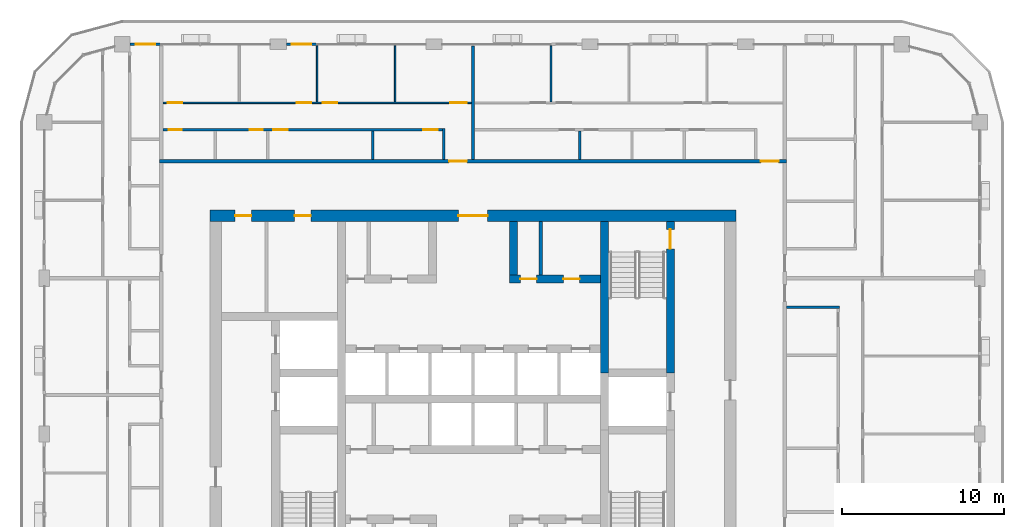
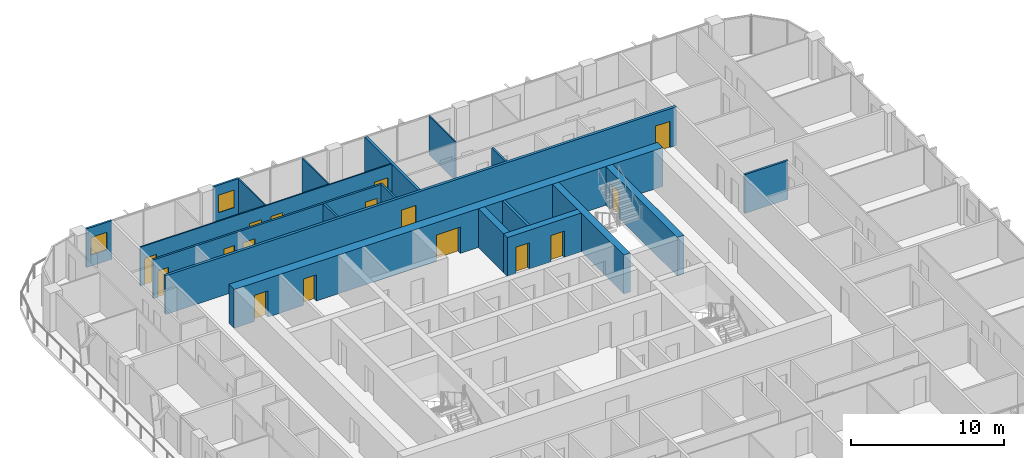
# One storey, part 14 of 22: 19 walls, 16 doors, 2 windows, 18 openings.
"""IFC4 building model written with IfcOpenShell, lengths in metres."""

from ifc_helpers import new_model, si_unit, direction, frame, frame_2d, origin, place, context, subcontext, project, spatial, rectangle, extrude, material, layer, layer_set, type_object, element, fill, save


model = new_model("IFC4")

# Units and contexts
model_context = context("Model", 3, precision=1e-05, world=origin(), true_north=direction((0.0, 1.0)))
body_context = subcontext(model_context, "Body", "Model", "MODEL_VIEW")
ifc_project = project(units=[si_unit("LENGTHUNIT", "METRE"), si_unit("AREAUNIT", "SQUARE_METRE"), si_unit("VOLUMEUNIT", "CUBIC_METRE"), si_unit("PLANEANGLEUNIT", "RADIAN"), si_unit("MASSUNIT", "GRAM", prefix="KILO")], contexts=[model_context])

# Site, building, storey
site_placement = place(None, origin())
site = spatial("IfcSite", under=ifc_project, at=site_placement, CompositionType="ELEMENT")
building_placement = place(site_placement, origin())
building = spatial("IfcBuilding", under=site, at=building_placement, Name="Madar Terraces", CompositionType="ELEMENT")
storey_placement = place(building_placement, frame((0.0, 0.0, 199.89990234375)))
storey = spatial("IfcBuildingStorey", under=building, at=storey_placement, Name="L52", CompositionType="ELEMENT", Elevation=199.89990234375)

# Wall
ifc_material_1 = material(Name="Concrete C60/75", Category="concrete")
ifc_layer_1 = layer(ifc_material_1, 0.5)
ifc_layer_set_1 = layer_set([ifc_layer_1], Name="Concrete C60/75 (CIW4 RC wall 500)")
wall_type_1 = type_object("IfcWallType", Name="CIW4 RC wall 500", PredefinedType="SHEAR", material=ifc_layer_set_1)
wall_1_placement = place(storey_placement, frame((39.300048828125, 27.75, 0.0), z_axis=(0.0, 0.0, 1.0), x_axis=(0.0, 1.0, 0.0)))
element("IfcWall", 1, at=wall_1_placement, inside=storey, type_object=wall_type_1, Name="CORE SHAFT WALL", PredefinedType="SHEAR", context=body_context, shape_type="SweptSolid", body=[
    extrude(rectangle(XDim=9.35009765625, YDim=0.5, at=frame_2d((4.675048828125, 0.0))), origin(), (0.0, 0.0, 1.0), 3.10009765625),
])

# Wall, opening, door
wall_2_placement = place(storey_placement, frame((43.35009765625, 27.75, 0.0), z_axis=(0.0, 0.0, 1.0), x_axis=(0.0, 1.0, 0.0)))
wall_2 = element("IfcWall", 2, at=wall_2_placement, inside=storey, type_object=wall_type_1, Name="CORE SHAFT WALL", PredefinedType="SHEAR", context=body_context, shape_type="SweptSolid", body=[
    extrude(rectangle(XDim=9.35009765625, YDim=0.5, at=frame_2d((4.675048828125, 0.0))), origin(), (0.0, 0.0, 1.0), 3.10009765625),
])
opening_1_placement = place(wall_2_placement, frame((7.64990234375, 0.0, 0.0)))
opening_1 = element("IfcOpeningElement", 3, at=opening_1_placement, cuts=wall_2, Name="Opening SD1", PredefinedType="OPENING", context=body_context, shape_type="SweptSolid", body=[
    extrude(rectangle(XDim=1.199951171875, YDim=2.10009765625, at=frame_2d((0.60009765625, 1.050048828125))), frame((0.0, 0.260009765625, 0.0), z_axis=(0.0, -1.0, 0.0), x_axis=(1.0, 0.0, 0.0)), (0.0, 0.0, 1.0), 0.52001953125),
])
ifc_material_2 = material(Name="Steel door leaf", Category="steel")
door_type_1 = type_object("IfcDoorType", Name="Stair door 1200 x 2100", OperationType="NOTDEFINED", PredefinedType="DOOR", material=ifc_material_2)
door_1_placement = place(opening_1_placement, origin())
door_1 = element("IfcDoor", 4, at=door_1_placement, inside=storey, type_object=door_type_1, Name="STAIR DOOR", OperationType="SINGLE_SWING_RIGHT", OverallHeight=2.10009765625, OverallWidth=1.199951171875, PredefinedType="DOOR", context=body_context, shape_type="SweptSolid", body=[
    extrude(rectangle(XDim=1.199951171875, YDim=2.10009765625, at=frame_2d((0.60009765625, 1.050048828125))), frame((0.0, 0.02490234375, 0.0), z_axis=(0.0, -1.0, 0.0), x_axis=(1.0, 0.0, 0.0)), (0.0, 0.0, 1.0), 0.050048828125),
])
fill(opening_1, door_1)

# Wall, openings, doors
wall_3_placement = place(storey_placement, frame((33.449951171875, 33.550048828125, 0.0), z_axis=(0.0, 0.0, 1.0), x_axis=(1.0, 0.0, 0.0)))
wall_3 = element("IfcWall", 5, at=wall_3_placement, inside=storey, type_object=wall_type_1, Name="CORE SHAFT WALL", PredefinedType="SHEAR", context=body_context, shape_type="SweptSolid", body=[
    extrude(rectangle(XDim=5.60009765625, YDim=0.5, at=frame_2d((2.800048828125, 0.0))), origin(), (0.0, 0.0, 1.0), 3.10009765625),
])
opening_2_placement = place(wall_3_placement, frame((0.6640625, 0.0, 0.0)))
opening_2 = element("IfcOpeningElement", 6, at=opening_2_placement, cuts=wall_3, Name="Opening KD2", PredefinedType="OPENING", context=body_context, shape_type="SweptSolid", body=[
    extrude(rectangle(XDim=1.0, YDim=2.10009765625, at=frame_2d((0.5, 1.050048828125))), frame((0.0, 0.260009765625, 0.0), z_axis=(0.0, -1.0, 0.0), x_axis=(1.0, 0.0, 0.0)), (0.0, 0.0, 1.0), 0.52001953125),
])
opening_3_placement = place(wall_3_placement, frame((3.31396484375, 0.0, 0.0)))
opening_3 = element("IfcOpeningElement", 7, at=opening_3_placement, cuts=wall_3, Name="Opening KD2", PredefinedType="OPENING", context=body_context, shape_type="SweptSolid", body=[
    extrude(rectangle(XDim=1.0, YDim=2.10009765625, at=frame_2d((0.5, 1.050048828125))), frame((0.0, 0.260009765625, 0.0), z_axis=(0.0, -1.0, 0.0), x_axis=(1.0, 0.0, 0.0)), (0.0, 0.0, 1.0), 0.52001953125),
])
ifc_material_3 = material(Name="Steel door leaf", Category="steel")
door_type_2 = type_object("IfcDoorType", Name="Service room door 1000 x 2100", OperationType="NOTDEFINED", PredefinedType="DOOR", material=ifc_material_3)
door_2_placement = place(opening_2_placement, frame((1.0, 0.0, 0.0), z_axis=(0.0, 0.0, 1.0), x_axis=(-1.0, 0.0, 0.0)))
door_2 = element("IfcDoor", 8, at=door_2_placement, inside=storey, type_object=door_type_2, Name="SERVICE ROOM DOOR", OperationType="SINGLE_SWING_LEFT", OverallHeight=2.10009765625, OverallWidth=1.0, PredefinedType="DOOR", context=body_context, shape_type="SweptSolid", body=[
    extrude(rectangle(XDim=1.0, YDim=2.10009765625, at=frame_2d((0.5, 1.050048828125))), frame((0.0, 0.02490234375, 0.0), z_axis=(0.0, -1.0, 0.0), x_axis=(1.0, 0.0, 0.0)), (0.0, 0.0, 1.0), 0.050048828125),
])
fill(opening_2, door_2)
door_3_placement = place(opening_3_placement, frame((1.0, 0.0, 0.0), z_axis=(0.0, 0.0, 1.0), x_axis=(-1.0, 0.0, 0.0)))
door_3 = element("IfcDoor", 9, at=door_3_placement, inside=storey, type_object=door_type_2, Name="SERVICE ROOM DOOR", OperationType="SINGLE_SWING_RIGHT", OverallHeight=2.10009765625, OverallWidth=1.0, PredefinedType="DOOR", context=body_context, shape_type="SweptSolid", body=[
    extrude(rectangle(XDim=1.0, YDim=2.10009765625, at=frame_2d((0.5, 1.050048828125))), frame((0.0, 0.02490234375, 0.0), z_axis=(0.0, -1.0, 0.0), x_axis=(1.0, 0.0, 0.0)), (0.0, 0.0, 1.0), 0.050048828125),
])
fill(opening_3, door_3)

# Wall
wall_4_placement = place(storey_placement, frame((33.699951171875, 33.800048828125, 0.0), z_axis=(0.0, 0.0, 1.0), x_axis=(0.0, 1.0, 0.0)))
element("IfcWall", 10, at=wall_4_placement, inside=storey, type_object=wall_type_1, Name="CORE SHAFT WALL", PredefinedType="SHEAR", context=body_context, shape_type="SweptSolid", body=[
    extrude(rectangle(XDim=3.300048828125, YDim=0.5, at=frame_2d((1.64990234375, 0.0))), origin(), (0.0, 0.0, 1.0), 3.10009765625),
])

# Wall, openings, doors
ifc_material_4 = material(Name="Concrete C60/75", Category="concrete")
ifc_layer_2 = layer(ifc_material_4, 0.699951171875)
ifc_layer_set_2 = layer_set([ifc_layer_2], Name="Concrete C60/75 (CRW4 RC wall 700)")
wall_type_2 = type_object("IfcWallType", Name="CRW4 RC wall 700", PredefinedType="SHEAR", material=ifc_layer_set_2)
wall_5_placement = place(storey_placement, frame((15.0, 37.449951171875, 0.0), z_axis=(0.0, 0.0, 1.0), x_axis=(1.0, 0.0, 0.0)))
wall_5 = element("IfcWall", 11, at=wall_5_placement, inside=storey, type_object=wall_type_2, Name="CORE OUTER WALL", PredefinedType="SHEAR", context=body_context, shape_type="SweptSolid", body=[
    extrude(rectangle(XDim=32.39990234375, YDim=0.699951171875, at=frame_2d((16.199951171875, 0.0))), origin(), (0.0, 0.0, 1.0), 3.10009765625),
])
opening_4_placement = place(wall_5_placement, frame((15.300048828125, 0.0, 0.0)))
opening_4 = element("IfcOpeningElement", 12, at=opening_4_placement, cuts=wall_5, Name="Opening KD1", PredefinedType="OPENING", context=body_context, shape_type="SweptSolid", body=[
    extrude(rectangle(XDim=1.800048828125, YDim=2.10009765625, at=frame_2d((0.89990234375, 1.050048828125))), frame((0.0, 0.35986328125, 0.0), z_axis=(0.0, -1.0, 0.0), x_axis=(1.0, 0.0, 0.0)), (0.0, 0.0, 1.0), 0.719970703125),
])
opening_5_placement = place(wall_5_placement, frame((1.544189453125, 0.0, 0.0)))
opening_5 = element("IfcOpeningElement", 13, at=opening_5_placement, cuts=wall_5, Name="Opening KD2", PredefinedType="OPENING", context=body_context, shape_type="SweptSolid", body=[
    extrude(rectangle(XDim=1.0, YDim=2.10009765625, at=frame_2d((0.5, 1.050048828125))), frame((0.0, 0.35986328125, 0.0), z_axis=(0.0, -1.0, 0.0), x_axis=(1.0, 0.0, 0.0)), (0.0, 0.0, 1.0), 0.719970703125),
])
opening_6_placement = place(wall_5_placement, frame((5.21923828125, 0.0, 0.0)))
opening_6 = element("IfcOpeningElement", 14, at=opening_6_placement, cuts=wall_5, Name="Opening KD2", PredefinedType="OPENING", context=body_context, shape_type="SweptSolid", body=[
    extrude(rectangle(XDim=1.0, YDim=2.10009765625, at=frame_2d((0.5, 1.050048828125))), frame((0.0, 0.35986328125, 0.0), z_axis=(0.0, -1.0, 0.0), x_axis=(1.0, 0.0, 0.0)), (0.0, 0.0, 1.0), 0.719970703125),
])
ifc_material_5 = material(Name="Steel door leaf", Category="steel")
door_type_3 = type_object("IfcDoorType", Name="Lobby door pair 1800 x 2100", OperationType="DOUBLE_DOOR_SINGLE_SWING", PredefinedType="DOOR", material=ifc_material_5)
door_4_placement = place(opening_4_placement, origin())
door_4 = element("IfcDoor", 15, at=door_4_placement, inside=storey, type_object=door_type_3, Name="LIFT LOBBY DOOR", OperationType="DOUBLE_DOOR_SINGLE_SWING", OverallHeight=2.10009765625, OverallWidth=1.800048828125, PredefinedType="DOOR", context=body_context, shape_type="SweptSolid", body=[
    extrude(rectangle(XDim=1.800048828125, YDim=2.10009765625, at=frame_2d((0.89990234375, 1.050048828125))), frame((0.0, 0.02490234375, 0.0), z_axis=(0.0, -1.0, 0.0), x_axis=(1.0, 0.0, 0.0)), (0.0, 0.0, 1.0), 0.050048828125),
])
fill(opening_4, door_4)
door_5_placement = place(opening_5_placement, origin())
door_5 = element("IfcDoor", 16, at=door_5_placement, inside=storey, type_object=door_type_2, Name="SERVICE ROOM DOOR", OperationType="SINGLE_SWING_LEFT", OverallHeight=2.10009765625, OverallWidth=1.0, PredefinedType="DOOR", context=body_context, shape_type="SweptSolid", body=[
    extrude(rectangle(XDim=1.0, YDim=2.10009765625, at=frame_2d((0.5, 1.050048828125))), frame((0.0, 0.02490234375, 0.0), z_axis=(0.0, -1.0, 0.0), x_axis=(1.0, 0.0, 0.0)), (0.0, 0.0, 1.0), 0.050048828125),
])
fill(opening_5, door_5)
door_6_placement = place(opening_6_placement, origin())
door_6 = element("IfcDoor", 17, at=door_6_placement, inside=storey, type_object=door_type_2, Name="SERVICE ROOM DOOR", OperationType="SINGLE_SWING_RIGHT", OverallHeight=2.10009765625, OverallWidth=1.0, PredefinedType="DOOR", context=body_context, shape_type="SweptSolid", body=[
    extrude(rectangle(XDim=1.0, YDim=2.10009765625, at=frame_2d((0.5, 1.050048828125))), frame((0.0, 0.02490234375, 0.0), z_axis=(0.0, -1.0, 0.0), x_axis=(1.0, 0.0, 0.0)), (0.0, 0.0, 1.0), 0.050048828125),
])
fill(opening_6, door_6)

# Wall
ifc_material_6 = material(Name="Masonry blockwork", Category="masonry")
ifc_layer_3 = layer(ifc_material_6, 0.199951171875)
ifc_layer_set_3 = layer_set([ifc_layer_3], Name="Core partition 200 blockwork")
wall_type_3 = type_object("IfcWallType", Name="Core partition 200 blockwork", PredefinedType="PARTITIONING", material=ifc_layer_set_3)
wall_6_placement = place(storey_placement, frame((35.3779296875, 33.800048828125, 0.0), z_axis=(0.0, 0.0, 1.0), x_axis=(0.0, 1.0, 0.0)))
element("IfcWall", 18, at=wall_6_placement, inside=storey, type_object=wall_type_3, Name="SERVICE ROOM PARTITION", PredefinedType="PARTITIONING", context=body_context, shape_type="SweptSolid", body=[
    extrude(rectangle(XDim=3.300048828125, YDim=0.199951171875, at=frame_2d((1.64990234375, 0.0))), origin(), (0.0, 0.0, 1.0), 3.10009765625),
])

# Wall, opening, window
ifc_material_7 = material(Name="Aluminium composite panel, black, over insulated backing", Category="aluminium")
ifc_layer_4 = layer(ifc_material_7, 0.14990234375)
ifc_layer_set_4 = layer_set([ifc_layer_4], Name="Facade bay panel 150")
wall_type_4 = type_object("IfcWallType", Name="Facade bay panel 150", PredefinedType="SOLIDWALL", material=ifc_layer_set_4)
wall_7_placement = place(storey_placement, frame((21.60009765625, 48.0, 0.0), z_axis=(0.0, 0.0, 1.0), x_axis=(-1.0, 0.0, 0.0)))
wall_7 = element("IfcWall", 19, at=wall_7_placement, inside=storey, type_object=wall_type_4, Name="Facade bay panel", PredefinedType="SOLIDWALL", context=body_context, shape_type="SweptSolid", body=[
    extrude(rectangle(XDim=1.900146484375, YDim=0.14990234375, at=frame_2d((0.9501953125, 0.0))), origin(), (0.0, 0.0, 1.0), 3.10009765625),
])
opening_7_placement = place(wall_7_placement, frame((0.35009765625, 0.0, 0.89990234375)))
opening_7 = element("IfcOpeningElement", 20, at=opening_7_placement, cuts=wall_7, Name="Opening W1", PredefinedType="OPENING", context=body_context, shape_type="SweptSolid", body=[
    extrude(rectangle(XDim=1.199951171875, YDim=1.39990234375, at=frame_2d((0.60009765625, 0.699951171875))), frame((0.0, 0.0849609375, 0.0), z_axis=(0.0, -1.0, 0.0), x_axis=(1.0, 0.0, 0.0)), (0.0, 0.0, 1.0), 0.169921875),
])
ifc_material_8 = material(Name="Glass, clear, with black aluminium frame", Category="aluminium")
window_type = type_object("IfcWindowType", Name="Vent window 1200 x 1400", PartitioningType="SINGLE_PANEL", PredefinedType="WINDOW", material=ifc_material_8)
window_1_placement = place(opening_7_placement, origin())
window_1 = element("IfcWindow", 21, at=window_1_placement, inside=storey, type_object=window_type, Name="Operable vent window", OverallHeight=1.39990234375, OverallWidth=1.199951171875, PartitioningType="SINGLE_PANEL", PredefinedType="WINDOW", context=body_context, shape_type="SweptSolid", body=[
    extrude(rectangle(XDim=1.199951171875, YDim=1.39990234375, at=frame_2d((0.60009765625, 0.699951171875))), frame((0.0, 0.030029296875, 0.0), z_axis=(0.0, -1.0, 0.0), x_axis=(1.0, 0.0, 0.0)), (0.0, 0.0, 1.0), 0.06005859375),
])
fill(opening_7, window_1)

wall_8_placement = place(storey_placement, frame((12.0, 48.0, 0.0), z_axis=(0.0, 0.0, 1.0), x_axis=(-1.0, 0.0, 0.0)))
wall_8 = element("IfcWall", 22, at=wall_8_placement, inside=storey, type_object=wall_type_4, Name="Facade bay panel", PredefinedType="SOLIDWALL", context=body_context, shape_type="SweptSolid", body=[
    extrude(rectangle(XDim=1.925048828125, YDim=0.14990234375, at=frame_2d((0.96240234375, 0.0))), origin(), (0.0, 0.0, 1.0), 3.10009765625),
])
opening_8_placement = place(wall_8_placement, frame((0.362548828125, 0.0, 0.89990234375)))
opening_8 = element("IfcOpeningElement", 23, at=opening_8_placement, cuts=wall_8, Name="Opening W1", PredefinedType="OPENING", context=body_context, shape_type="SweptSolid", body=[
    extrude(rectangle(XDim=1.199951171875, YDim=1.39990234375, at=frame_2d((0.60009765625, 0.699951171875))), frame((0.0, 0.0849609375, 0.0), z_axis=(0.0, -1.0, 0.0), x_axis=(1.0, 0.0, 0.0)), (0.0, 0.0, 1.0), 0.169921875),
])
window_2_placement = place(opening_8_placement, origin())
window_2 = element("IfcWindow", 24, at=window_2_placement, inside=storey, type_object=window_type, Name="Operable vent window", OverallHeight=1.39990234375, OverallWidth=1.199951171875, PartitioningType="SINGLE_PANEL", PredefinedType="WINDOW", context=body_context, shape_type="SweptSolid", body=[
    extrude(rectangle(XDim=1.199951171875, YDim=1.39990234375, at=frame_2d((0.60009765625, 0.699951171875))), frame((0.0, 0.030029296875, 0.0), z_axis=(0.0, -1.0, 0.0), x_axis=(1.0, 0.0, 0.0)), (0.0, 0.0, 1.0), 0.06005859375),
])
fill(opening_8, window_2)

# Walls
ifc_material_9 = material(Name="Gypsum board on steel studs", Category="steel")
ifc_layer_5 = layer(ifc_material_9, 0.10009765625)
ifc_layer_set_5 = layer_set([ifc_layer_5], Name="Flat partition 100")
wall_type_5 = type_object("IfcWallType", Name="Flat partition 100", PredefinedType="PARTITIONING", material=ifc_layer_set_5)
for number, where, z_axis, x_axis, name in (
    (25, (36.0, 44.449951171875, 0.0), (0.0, 0.0, 1.0), (0.0, 1.0, 0.0), "Flat partition 100"),
    (26, (26.39990234375, 44.449951171875, 0.0), (0.0, 0.0, 1.0), (0.0, 1.0, 0.0), "Flat partition 100"),
    (27, (21.60009765625, 44.449951171875, 0.0), (0.0, 0.0, 1.0), (0.0, 1.0, 0.0), "Flat partition 100"),
):
    element("IfcWall", number, at=place(storey_placement, frame(where, z_axis=z_axis, x_axis=x_axis)), inside=storey, type_object=wall_type_5, Name=name, PredefinedType="PARTITIONING", context=body_context, shape_type="SweptSolid", body=[
        extrude(rectangle(XDim=3.449951171875, YDim=0.10009765625, at=frame_2d((1.72509765625, 0.0))), origin(), (0.0, 0.0, 1.0), 3.10009765625),
    ])

# Wall, openings, doors
wall_9_placement = place(storey_placement, frame((12.10009765625, 44.39990234375, 0.0), z_axis=(0.0, 0.0, 1.0), x_axis=(1.0, 0.0, 0.0)))
wall_9 = element("IfcWall", 28, at=wall_9_placement, inside=storey, type_object=wall_type_5, Name="Flat partition 100", PredefinedType="PARTITIONING", context=body_context, shape_type="SweptSolid", body=[
    extrude(rectangle(XDim=19.0, YDim=0.10009765625, at=frame_2d((9.5, 0.0))), origin(), (0.0, 0.0, 1.0), 3.10009765625),
])
opening_9_placement = place(wall_9_placement, frame((17.699951171875, 0.0, 0.0)))
opening_9 = element("IfcOpeningElement", 29, at=opening_9_placement, cuts=wall_9, Name="Opening D3", PredefinedType="OPENING", context=body_context, shape_type="SweptSolid", body=[
    extrude(rectangle(XDim=1.0, YDim=2.10009765625, at=frame_2d((0.5, 1.050048828125))), frame((0.0, 0.06005859375, 0.0), z_axis=(0.0, -1.0, 0.0), x_axis=(1.0, 0.0, 0.0)), (0.0, 0.0, 1.0), 0.1201171875),
])
opening_10_placement = place(wall_9_placement, frame((9.85009765625, 0.0, 0.0)))
opening_10 = element("IfcOpeningElement", 30, at=opening_10_placement, cuts=wall_9, Name="Opening D2", PredefinedType="OPENING", context=body_context, shape_type="SweptSolid", body=[
    extrude(rectangle(XDim=0.89990234375, YDim=2.10009765625, at=frame_2d((0.449951171875, 1.050048828125))), frame((0.0, 0.06005859375, 0.0), z_axis=(0.0, -1.0, 0.0), x_axis=(1.0, 0.0, 0.0)), (0.0, 0.0, 1.0), 0.1201171875),
])
opening_11_placement = place(wall_9_placement, frame((8.25, 0.0, 0.0)))
opening_11 = element("IfcOpeningElement", 31, at=opening_11_placement, cuts=wall_9, Name="Opening D2", PredefinedType="OPENING", context=body_context, shape_type="SweptSolid", body=[
    extrude(rectangle(XDim=0.89990234375, YDim=2.10009765625, at=frame_2d((0.449951171875, 1.050048828125))), frame((0.0, 0.06005859375, 0.0), z_axis=(0.0, -1.0, 0.0), x_axis=(1.0, 0.0, 0.0)), (0.0, 0.0, 1.0), 0.1201171875),
])
opening_12_placement = place(wall_9_placement, frame((0.300048828125, 0.0, 0.0)))
opening_12 = element("IfcOpeningElement", 32, at=opening_12_placement, cuts=wall_9, Name="Opening D2", PredefinedType="OPENING", context=body_context, shape_type="SweptSolid", body=[
    extrude(rectangle(XDim=0.89990234375, YDim=2.10009765625, at=frame_2d((0.449951171875, 1.050048828125))), frame((0.0, 0.06005859375, 0.0), z_axis=(0.0, -1.0, 0.0), x_axis=(1.0, 0.0, 0.0)), (0.0, 0.0, 1.0), 0.1201171875),
])
ifc_material_10 = material(Name="Timber door leaf", Category="wood")
door_type_4 = type_object("IfcDoorType", Name="Flat living room door 1000", OperationType="NOTDEFINED", PredefinedType="DOOR", material=ifc_material_10)
door_7_placement = place(opening_9_placement, origin())
door_7 = element("IfcDoor", 33, at=door_7_placement, inside=storey, type_object=door_type_4, Name="Flat living room door 1000", OperationType="SINGLE_SWING_RIGHT", OverallHeight=2.10009765625, OverallWidth=1.0, PredefinedType="DOOR", context=body_context, shape_type="SweptSolid", body=[
    extrude(rectangle(XDim=1.0, YDim=2.10009765625, at=frame_2d((0.5, 1.050048828125))), frame((0.0, 0.02490234375, 0.0), z_axis=(0.0, -1.0, 0.0), x_axis=(1.0, 0.0, 0.0)), (0.0, 0.0, 1.0), 0.050048828125),
])
fill(opening_9, door_7)
ifc_material_11 = material(Name="Timber door leaf", Category="wood")
door_type_5 = type_object("IfcDoorType", Name="Flat room door 900", OperationType="NOTDEFINED", PredefinedType="DOOR", material=ifc_material_11)
door_8_placement = place(opening_10_placement, origin())
door_8 = element("IfcDoor", 34, at=door_8_placement, inside=storey, type_object=door_type_5, Name="Flat room door 900", OperationType="SINGLE_SWING_LEFT", OverallHeight=2.10009765625, OverallWidth=0.89990234375, PredefinedType="DOOR", context=body_context, shape_type="SweptSolid", body=[
    extrude(rectangle(XDim=0.89990234375, YDim=2.10009765625, at=frame_2d((0.449951171875, 1.050048828125))), frame((0.0, 0.02490234375, 0.0), z_axis=(0.0, -1.0, 0.0), x_axis=(1.0, 0.0, 0.0)), (0.0, 0.0, 1.0), 0.050048828125),
])
fill(opening_10, door_8)
door_9_placement = place(opening_11_placement, origin())
door_9 = element("IfcDoor", 35, at=door_9_placement, inside=storey, type_object=door_type_5, Name="Flat room door 900", OperationType="SINGLE_SWING_RIGHT", OverallHeight=2.10009765625, OverallWidth=0.89990234375, PredefinedType="DOOR", context=body_context, shape_type="SweptSolid", body=[
    extrude(rectangle(XDim=0.89990234375, YDim=2.10009765625, at=frame_2d((0.449951171875, 1.050048828125))), frame((0.0, 0.02490234375, 0.0), z_axis=(0.0, -1.0, 0.0), x_axis=(1.0, 0.0, 0.0)), (0.0, 0.0, 1.0), 0.050048828125),
])
fill(opening_11, door_9)
door_10_placement = place(opening_12_placement, origin())
door_10 = element("IfcDoor", 36, at=door_10_placement, inside=storey, type_object=door_type_5, Name="Flat room door 900", OperationType="SINGLE_SWING_LEFT", OverallHeight=2.10009765625, OverallWidth=0.89990234375, PredefinedType="DOOR", context=body_context, shape_type="SweptSolid", body=[
    extrude(rectangle(XDim=0.89990234375, YDim=2.10009765625, at=frame_2d((0.449951171875, 1.050048828125))), frame((0.0, 0.02490234375, 0.0), z_axis=(0.0, -1.0, 0.0), x_axis=(1.0, 0.0, 0.0)), (0.0, 0.0, 1.0), 0.050048828125),
])
fill(opening_12, door_10)

ifc_material_12 = material(Name="Lightweight blockwork", Category="masonry")
ifc_layer_6 = layer(ifc_material_12, 0.199951171875)
ifc_layer_set_6 = layer_set([ifc_layer_6], Name="Flat party and entrance wall 200")
wall_type_6 = type_object("IfcWallType", Name="Flat party and entrance wall 200", PredefinedType="PARTITIONING", material=ifc_layer_set_6)
wall_10_placement = place(storey_placement, frame((11.89990234375, 40.800048828125, 0.0), z_axis=(0.0, 0.0, 1.0), x_axis=(1.0, 0.0, 0.0)))
wall_10 = element("IfcWall", 37, at=wall_10_placement, inside=storey, type_object=wall_type_6, Name="Flat party and entrance wall 200", PredefinedType="PARTITIONING", context=body_context, shape_type="SweptSolid", body=[
    extrude(rectangle(XDim=38.60009765625, YDim=0.199951171875, at=frame_2d((19.300048828125, 0.0))), origin(), (0.0, 0.0, 1.0), 3.10009765625),
])
opening_13_placement = place(wall_10_placement, frame((37.02490234375, 0.0, 0.0)))
opening_13 = element("IfcOpeningElement", 38, at=opening_13_placement, cuts=wall_10, Name="Opening D6", PredefinedType="OPENING", context=body_context, shape_type="SweptSolid", body=[
    extrude(rectangle(XDim=1.10009765625, YDim=2.10009765625, at=frame_2d((0.550048828125, 1.050048828125))), frame((0.0, 0.10986328125, 0.0), z_axis=(0.0, -1.0, 0.0), x_axis=(1.0, 0.0, 0.0)), (0.0, 0.0, 1.0), 0.219970703125),
])
opening_14_placement = place(wall_10_placement, frame((17.824951171875, 0.0, 0.0)))
opening_14 = element("IfcOpeningElement", 39, at=opening_14_placement, cuts=wall_10, Name="Opening D6", PredefinedType="OPENING", context=body_context, shape_type="SweptSolid", body=[
    extrude(rectangle(XDim=1.10009765625, YDim=2.10009765625, at=frame_2d((0.550048828125, 1.050048828125))), frame((0.0, 0.10986328125, 0.0), z_axis=(0.0, -1.0, 0.0), x_axis=(1.0, 0.0, 0.0)), (0.0, 0.0, 1.0), 0.219970703125),
])
ifc_material_13 = material(Name="Timber fire door leaf", Category="wood")
door_type_6 = type_object("IfcDoorType", Name="Flat entrance door 1100 FD30S", OperationType="NOTDEFINED", PredefinedType="DOOR", material=ifc_material_13)
door_11_placement = place(opening_13_placement, origin())
door_11 = element("IfcDoor", 40, at=door_11_placement, inside=storey, type_object=door_type_6, Name="Flat entrance door 1100 FD30S", OperationType="SINGLE_SWING_RIGHT", OverallHeight=2.10009765625, OverallWidth=1.10009765625, PredefinedType="DOOR", context=body_context, shape_type="SweptSolid", body=[
    extrude(rectangle(XDim=1.10009765625, YDim=2.10009765625, at=frame_2d((0.550048828125, 1.050048828125))), frame((0.0, 0.02490234375, 0.0), z_axis=(0.0, -1.0, 0.0), x_axis=(1.0, 0.0, 0.0)), (0.0, 0.0, 1.0), 0.050048828125),
])
fill(opening_13, door_11)
door_12_placement = place(opening_14_placement, origin())
door_12 = element("IfcDoor", 41, at=door_12_placement, inside=storey, type_object=door_type_6, Name="Flat entrance door 1100 FD30S", OperationType="SINGLE_SWING_RIGHT", OverallHeight=2.10009765625, OverallWidth=1.10009765625, PredefinedType="DOOR", context=body_context, shape_type="SweptSolid", body=[
    extrude(rectangle(XDim=1.10009765625, YDim=2.10009765625, at=frame_2d((0.550048828125, 1.050048828125))), frame((0.0, 0.02490234375, 0.0), z_axis=(0.0, -1.0, 0.0), x_axis=(1.0, 0.0, 0.0)), (0.0, 0.0, 1.0), 0.050048828125),
])
fill(opening_14, door_12)

# Walls
wall_11_placement = place(storey_placement, frame((31.199951171875, 47.89990234375, 0.0), z_axis=(0.0, 0.0, 1.0), x_axis=(0.0, -1.0, 0.0)))
element("IfcWall", 42, at=wall_11_placement, inside=storey, type_object=wall_type_6, Name="Flat party and entrance wall 200", PredefinedType="PARTITIONING", context=body_context, shape_type="SweptSolid", body=[
    extrude(rectangle(XDim=7.0, YDim=0.199951171875, at=frame_2d((3.5, 0.0))), origin(), (0.0, 0.0, 1.0), 3.10009765625),
])
ifc_material_14 = material(Name="Lightweight blockwork", Category="masonry")
ifc_layer_7 = layer(ifc_material_14, 0.14990234375)
ifc_layer_set_7 = layer_set([ifc_layer_7], Name="Flat wet-room partition 150")
wall_type_7 = type_object("IfcWallType", Name="Flat wet-room partition 150", PredefinedType="PARTITIONING", material=ifc_layer_set_7)
wall_12_placement = place(storey_placement, frame((50.5, 31.800048828125, 0.0), z_axis=(0.0, 0.0, 1.0), x_axis=(1.0, 0.0, 0.0)))
element("IfcWall", 43, at=wall_12_placement, inside=storey, type_object=wall_type_7, Name="Flat wet-room partition 150", PredefinedType="PARTITIONING", context=body_context, shape_type="SweptSolid", body=[
    extrude(rectangle(XDim=3.27490234375, YDim=0.14990234375, at=frame_2d((1.637451171875, 0.0))), origin(), (0.0, 0.0, 1.0), 3.10009765625),
])
for number, where, z_axis, x_axis, name in (
    (44, (37.759521484375, 40.89990234375, 0.0), (0.0, 0.0, 1.0), (0.0, 1.0, 0.0), "Flat wet-room partition 150"),
    (45, (25.018798828125, 40.89990234375, 0.0), (0.0, 0.0, 1.0), (0.0, 1.0, 0.0), "Flat wet-room partition 150"),
):
    element("IfcWall", number, at=place(storey_placement, frame(where, z_axis=z_axis, x_axis=x_axis)), inside=storey, type_object=wall_type_7, Name=name, PredefinedType="PARTITIONING", context=body_context, shape_type="SweptSolid", body=[
        extrude(rectangle(XDim=1.775146484375, YDim=0.14990234375, at=frame_2d((0.8876953125, 0.0))), origin(), (0.0, 0.0, 1.0), 3.10009765625),
    ])
wall_13_placement = place(storey_placement, frame((29.39990234375, 40.89990234375, 0.0), z_axis=(0.0, 0.0, 1.0), x_axis=(0.0, 1.0, 0.0)))
element("IfcWall", 46, at=wall_13_placement, inside=storey, type_object=wall_type_7, Name="Flat wet-room partition 150", PredefinedType="PARTITIONING", context=body_context, shape_type="SweptSolid", body=[
    extrude(rectangle(XDim=1.925048828125, YDim=0.14990234375, at=frame_2d((0.96240234375, 0.0))), origin(), (0.0, 0.0, 1.0), 3.10009765625),
])

# Wall, openings, doors
wall_14_placement = place(storey_placement, frame((29.324951171875, 42.75, 0.0), z_axis=(0.0, 0.0, 1.0), x_axis=(-1.0, 0.0, 0.0)))
wall_14 = element("IfcWall", 47, at=wall_14_placement, inside=storey, type_object=wall_type_7, Name="Flat wet-room partition 150", PredefinedType="PARTITIONING", context=body_context, shape_type="SweptSolid", body=[
    extrude(rectangle(XDim=17.224853515625, YDim=0.14990234375, at=frame_2d((8.6123046875, 0.0))), origin(), (0.0, 0.0, 1.0), 3.10009765625),
])
opening_15_placement = place(wall_14_placement, frame((0.300048828125, 0.0, 0.0)))
opening_15 = element("IfcOpeningElement", 48, at=opening_15_placement, cuts=wall_14, Name="Opening D5", PredefinedType="OPENING", context=body_context, shape_type="SweptSolid", body=[
    extrude(rectangle(XDim=0.89990234375, YDim=2.10009765625, at=frame_2d((0.449951171875, 1.050048828125))), frame((0.0, 0.0849609375, 0.0), z_axis=(0.0, -1.0, 0.0), x_axis=(1.0, 0.0, 0.0)), (0.0, 0.0, 1.0), 0.169921875),
])
opening_16_placement = place(wall_14_placement, frame((9.54052734375, 0.0, 0.0)))
opening_16 = element("IfcOpeningElement", 49, at=opening_16_placement, cuts=wall_14, Name="Opening D2", PredefinedType="OPENING", context=body_context, shape_type="SweptSolid", body=[
    extrude(rectangle(XDim=0.89990234375, YDim=2.10009765625, at=frame_2d((0.449951171875, 1.050048828125))), frame((0.0, 0.0849609375, 0.0), z_axis=(0.0, -1.0, 0.0), x_axis=(1.0, 0.0, 0.0)), (0.0, 0.0, 1.0), 0.169921875),
])
opening_17_placement = place(wall_14_placement, frame((11.090576171875, 0.0, 0.0)))
opening_17 = element("IfcOpeningElement", 50, at=opening_17_placement, cuts=wall_14, Name="Opening D7", PredefinedType="OPENING", context=body_context, shape_type="SweptSolid", body=[
    extrude(rectangle(XDim=0.800048828125, YDim=2.10009765625, at=frame_2d((0.39990234375, 1.050048828125))), frame((0.0, 0.0849609375, 0.0), z_axis=(0.0, -1.0, 0.0), x_axis=(1.0, 0.0, 0.0)), (0.0, 0.0, 1.0), 0.169921875),
])
opening_18_placement = place(wall_14_placement, frame((16.074951171875, 0.0, 0.0)))
opening_18 = element("IfcOpeningElement", 51, at=opening_18_placement, cuts=wall_14, Name="Opening D4", PredefinedType="OPENING", context=body_context, shape_type="SweptSolid", body=[
    extrude(rectangle(XDim=0.800048828125, YDim=2.10009765625, at=frame_2d((0.39990234375, 1.050048828125))), frame((0.0, 0.0849609375, 0.0), z_axis=(0.0, -1.0, 0.0), x_axis=(1.0, 0.0, 0.0)), (0.0, 0.0, 1.0), 0.169921875),
])
ifc_material_15 = material(Name="Timber door leaf", Category="wood")
door_type_7 = type_object("IfcDoorType", Name="Flat accessible bathroom door 900", OperationType="NOTDEFINED", PredefinedType="DOOR", material=ifc_material_15)
door_13_placement = place(opening_15_placement, origin())
door_13 = element("IfcDoor", 52, at=door_13_placement, inside=storey, type_object=door_type_7, Name="Flat accessible bathroom door 900", OperationType="SINGLE_SWING_LEFT", OverallHeight=2.10009765625, OverallWidth=0.89990234375, PredefinedType="DOOR", context=body_context, shape_type="SweptSolid", body=[
    extrude(rectangle(XDim=0.89990234375, YDim=2.10009765625, at=frame_2d((0.449951171875, 1.050048828125))), frame((0.0, 0.02490234375, 0.0), z_axis=(0.0, -1.0, 0.0), x_axis=(1.0, 0.0, 0.0)), (0.0, 0.0, 1.0), 0.050048828125),
])
fill(opening_15, door_13)
ifc_material_16 = material(Name="Timber door leaf", Category="wood")
door_type_8 = type_object("IfcDoorType", Name="Flat bathroom door 800", OperationType="NOTDEFINED", PredefinedType="DOOR", material=ifc_material_16)
door_14_placement = place(opening_18_placement, origin())
door_14 = element("IfcDoor", 53, at=door_14_placement, inside=storey, type_object=door_type_8, Name="Flat bathroom door 800", OperationType="SINGLE_SWING_RIGHT", OverallHeight=2.10009765625, OverallWidth=0.800048828125, PredefinedType="DOOR", context=body_context, shape_type="SweptSolid", body=[
    extrude(rectangle(XDim=0.800048828125, YDim=2.10009765625, at=frame_2d((0.39990234375, 1.050048828125))), frame((0.0, 0.02490234375, 0.0), z_axis=(0.0, -1.0, 0.0), x_axis=(1.0, 0.0, 0.0)), (0.0, 0.0, 1.0), 0.050048828125),
])
fill(opening_18, door_14)
door_15_placement = place(opening_16_placement, origin())
door_15 = element("IfcDoor", 54, at=door_15_placement, inside=storey, type_object=door_type_5, Name="Flat room door 900", OperationType="SINGLE_SWING_RIGHT", OverallHeight=2.10009765625, OverallWidth=0.89990234375, PredefinedType="DOOR", context=body_context, shape_type="SweptSolid", body=[
    extrude(rectangle(XDim=0.89990234375, YDim=2.10009765625, at=frame_2d((0.449951171875, 1.050048828125))), frame((0.0, 0.02490234375, 0.0), z_axis=(0.0, -1.0, 0.0), x_axis=(1.0, 0.0, 0.0)), (0.0, 0.0, 1.0), 0.050048828125),
])
fill(opening_16, door_15)
ifc_material_17 = material(Name="Timber door leaf", Category="wood")
door_type_9 = type_object("IfcDoorType", Name="Flat utility door 800", OperationType="NOTDEFINED", PredefinedType="DOOR", material=ifc_material_17)
door_16_placement = place(opening_17_placement, origin())
door_16 = element("IfcDoor", 55, at=door_16_placement, inside=storey, type_object=door_type_9, Name="Flat utility door 800", OperationType="SINGLE_SWING_LEFT", OverallHeight=2.10009765625, OverallWidth=0.800048828125, PredefinedType="DOOR", context=body_context, shape_type="SweptSolid", body=[
    extrude(rectangle(XDim=0.800048828125, YDim=2.10009765625, at=frame_2d((0.39990234375, 1.050048828125))), frame((0.0, 0.02490234375, 0.0), z_axis=(0.0, -1.0, 0.0), x_axis=(1.0, 0.0, 0.0)), (0.0, 0.0, 1.0), 0.050048828125),
])
fill(opening_17, door_16)

save(model, "model.ifc")
